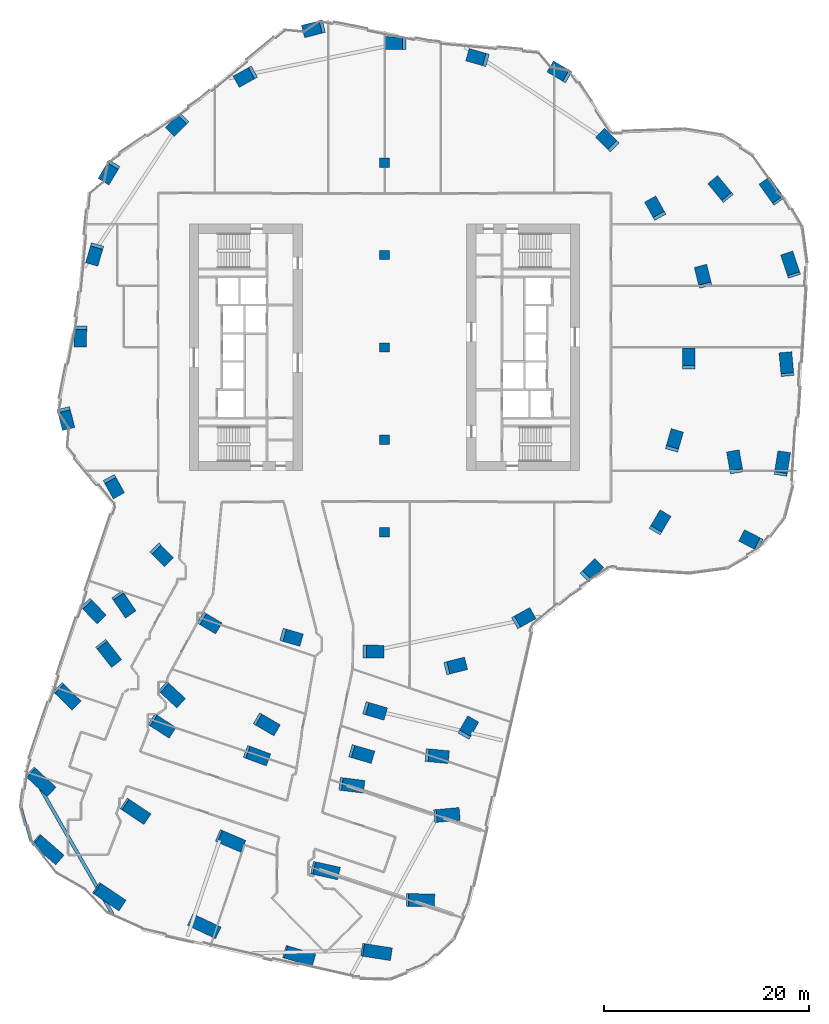
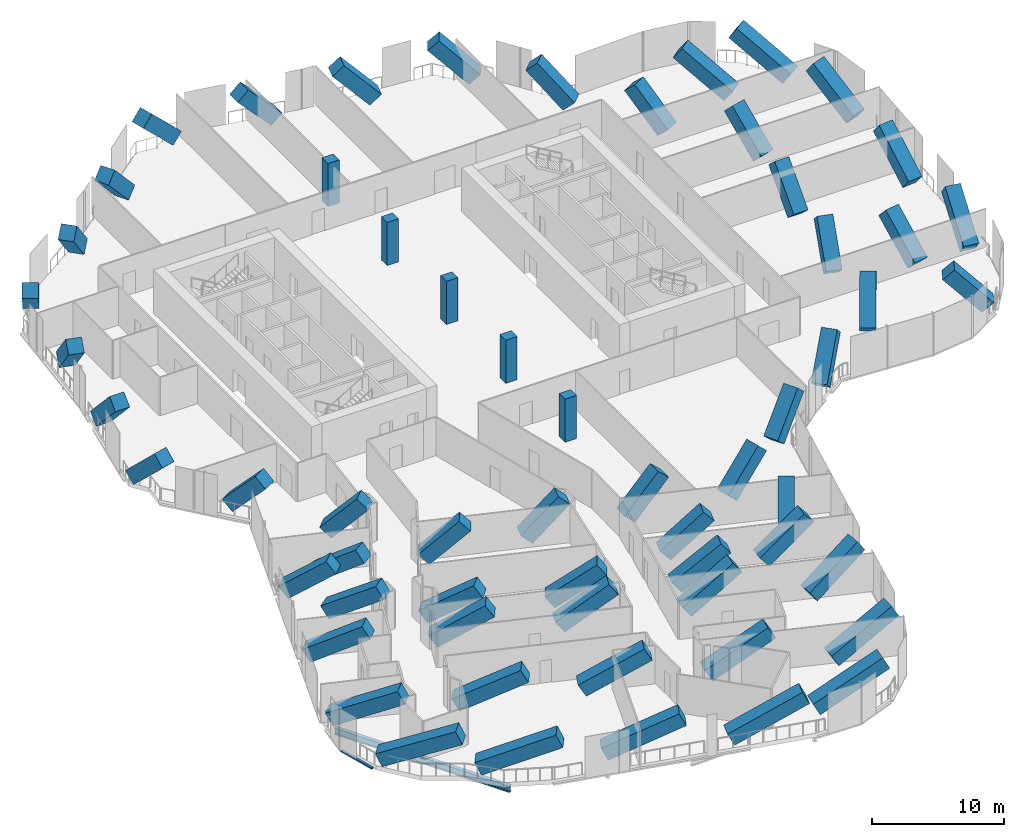
# One storey, part 1 of 28: 60 columns, 1 beam, 1 member, 1 element without a shape of its own.
"""IFC4 building model written with IfcOpenShell, lengths in metres."""

from ifc_helpers import new_model, si_unit, direction, frame, origin, origin_2d, place, context, subcontext, project, spatial, rectangle, i_section, extrude, material, material_profile, profile_set, type_object, element, aggregate, save


model = new_model("IFC4")

# Units and contexts
model_context = context("Model", 3, precision=1e-05, world=origin(), true_north=direction((0.0, 1.0)))
body_context = subcontext(model_context, "Body", "Model", "MODEL_VIEW")
ifc_project = project(units=[si_unit("LENGTHUNIT", "METRE"), si_unit("AREAUNIT", "SQUARE_METRE"), si_unit("VOLUMEUNIT", "CUBIC_METRE"), si_unit("PLANEANGLEUNIT", "RADIAN"), si_unit("MASSUNIT", "GRAM", prefix="KILO")], contexts=[model_context])

# Site, building, storey
site_placement = place(None, origin())
site = spatial("IfcSite", under=ifc_project, at=site_placement, CompositionType="ELEMENT")
building_placement = place(site_placement, origin())
building = spatial("IfcBuilding", under=site, at=building_placement, Name="Orlundy Tower", CompositionType="ELEMENT")
storey_placement = place(building_placement, frame((0.0, 0.0, 163.10009765625)))
storey = spatial("IfcBuildingStorey", under=building, at=storey_placement, Name="L42", CompositionType="ELEMENT", Elevation=163.10009765625)

# Columns
ifc_material_1 = material(Name="Concrete C70/85", Category="concrete")
ifc_material_profile_1 = material_profile(ifc_material_1, rectangle(XDim=1.0, YDim=0.89990234375, at=origin_2d()), Name="RC1000X900")
ifc_profile_set_1 = profile_set([ifc_material_profile_1], Name="Concrete C70/85")
column_type_1 = type_object("IfcColumnType", Name="RC COLUMN RC1000X900 C70/85", PredefinedType="COLUMN", material=ifc_profile_set_1)
for number, where, z_axis, x_axis, name in (
    (1, (0.0, -18.0, 0.0), (0.0, 0.0, 1.0), (1.0, 0.0, 0.0), "Column C-M1 L42"),
    (2, (0.0, -9.0, 0.0), (0.0, 0.0, 1.0), (1.0, 0.0, 0.0), "Column C-M2 L42"),
    (3, (0.0, 0.0, 0.0), (0.0, 0.0, 1.0), (1.0, 0.0, 0.0), "Column C-M3 L42"),
    (4, (0.0, 9.0, 0.0), (0.0, 0.0, 1.0), (1.0, 0.0, 0.0), "Column C-M4 L42"),
    (5, (0.0, 18.0, 0.0), (0.0, 0.0, 1.0), (1.0, 0.0, 0.0), "Column C-M5 L42"),
):
    element("IfcColumn", number, at=place(storey_placement, frame(where, z_axis=z_axis, x_axis=x_axis)), inside=storey, type_object=column_type_1, Name=name, PredefinedType="COLUMN", context=body_context, shape_type="SweptSolid", body=[
        extrude(rectangle(XDim=1.0, YDim=0.89990234375, at=origin_2d()), origin(), (0.0, 0.0, 1.0), 4.0),
    ])
ifc_material_2 = material(Name="Concrete C70/85", Category="concrete")
ifc_material_profile_2 = material_profile(ifc_material_2, rectangle(XDim=1.25, YDim=1.25, at=origin_2d()), Name="RC1250X1250")
ifc_profile_set_2 = profile_set([ifc_material_profile_2], Name="Concrete C70/85")
column_type_2 = type_object("IfcColumnType", Name="RC COLUMN RC1250X1250 C70/85", PredefinedType="COLUMN", material=ifc_profile_set_2)
column_1_placement = place(storey_placement, frame((36.197998046875, -19.0390625, 0.43115234375), z_axis=(-0.614431659067, 0.313806268121, 0.723878002445), x_axis=(-0.454839158041, -0.89057360185, 0.0)))
element("IfcColumn", 6, at=column_1_placement, inside=storey, type_object=column_type_2, Name="Column C-A1-6 L42 strut", PredefinedType="COLUMN", context=body_context, shape_type="SweptSolid", body=[
    extrude(rectangle(XDim=1.25, YDim=1.25, at=origin_2d()), origin(), (0.0, 0.0, 1.0), 4.334228515625),
])
column_2_placement = place(storey_placement, frame((38.635009765625, -12.0810546875, 0.4951171875), z_axis=(0.122487028958, 0.782600026974, 0.610355736859), x_axis=(-0.987972378742, 0.154630458974, 0.0)))
element("IfcColumn", 7, at=column_2_placement, inside=storey, type_object=column_type_2, Name="Column C-A2-6 L42 strut", PredefinedType="COLUMN", context=body_context, shape_type="SweptSolid", body=[
    extrude(rectangle(XDim=1.25, YDim=1.25, at=origin_2d()), origin(), (0.0, 0.0, 1.0), 4.93115234375),
])
column_3_placement = place(storey_placement, frame((34.242919921875, -11.81298828125, 0.4658203125), z_axis=(-0.130310095203, 0.734021863089, 0.666506701838), x_axis=(-0.984604707963, -0.174795792447, 0.0)))
element("IfcColumn", 8, at=column_3_placement, inside=storey, type_object=column_type_2, Name="Column C-A2-7 L42 strut", PredefinedType="COLUMN", context=body_context, shape_type="SweptSolid", body=[
    extrude(rectangle(XDim=1.25, YDim=1.25, at=origin_2d()), origin(), (0.0, 0.0, 1.0), 4.603271484375),
])
column_4_placement = place(storey_placement, frame((39.22705078125, -2.39892578125, 0.493896484375), z_axis=(-0.072199062144, 0.787088950508, 0.612599607748), x_axis=(-0.995819239381, -0.091345730494, 0.0)))
element("IfcColumn", 9, at=column_4_placement, inside=storey, type_object=column_type_2, Name="Column C-A3-6 L42 strut", PredefinedType="COLUMN", context=body_context, shape_type="SweptSolid", body=[
    extrude(rectangle(XDim=1.25, YDim=1.25, at=origin_2d()), origin(), (0.0, 0.0, 1.0), 4.916748046875),
])
column_5_placement = place(storey_placement, frame((39.819091796875, 7.282958984375, 0.5048828125), z_axis=(-0.25907824118, 0.765106223303, 0.589483614708), x_axis=(-0.947171144312, -0.320728582112, 0.0)))
element("IfcColumn", 10, at=column_5_placement, inside=storey, type_object=column_type_2, Name="Column C-A4-6 L42 strut", PredefinedType="COLUMN", context=body_context, shape_type="SweptSolid", body=[
    extrude(rectangle(XDim=1.25, YDim=1.25, at=origin_2d()), origin(), (0.0, 0.0, 1.0), 5.07275390625),
])
column_6_placement = place(storey_placement, frame((38.2490234375, 14.485107421875, 0.522705078125), z_axis=(-0.485686387819, 0.680749350741, 0.548351214235), x_axis=(-0.814051859735, -0.580792191461, 0.0)))
element("IfcColumn", 11, at=column_6_placement, inside=storey, type_object=column_type_2, Name="Column C-A5-6 L42 strut", PredefinedType="COLUMN", context=body_context, shape_type="SweptSolid", body=[
    extrude(rectangle(XDim=1.25, YDim=1.25, at=origin_2d()), origin(), (0.0, 0.0, 1.0), 5.38818359375),
])
column_7_placement = place(storey_placement, frame((33.258056640625, 14.7900390625, 0.505615234375), z_axis=(-0.515408443842, 0.623912958881, 0.587440852986), x_axis=(-0.770960485669, -0.636882979469, 0.0)))
element("IfcColumn", 12, at=column_7_placement, inside=storey, type_object=column_type_2, Name="Column C-A5-7 L42 strut", PredefinedType="COLUMN", context=body_context, shape_type="SweptSolid", body=[
    extrude(rectangle(XDim=1.25, YDim=1.25, at=origin_2d()), origin(), (0.0, 0.0, 1.0), 5.08740234375),
])
column_8_placement = place(storey_placement, frame((-28.868896484375, -25.138916015625, 0.48828125), z_axis=(0.541618703816, -0.563138308034, 0.624118919518), x_axis=(0.720743817302, 0.693201521796, 0.0)))
element("IfcColumn", 13, at=column_8_placement, inside=storey, type_object=column_type_2, Name="Column C-B1-1 L42 strut", PredefinedType="COLUMN", context=body_context, shape_type="SweptSolid", body=[
    extrude(rectangle(XDim=1.25, YDim=1.25, at=origin_2d()), origin(), (0.0, 0.0, 1.0), 4.84423828125),
])
column_9_placement = place(storey_placement, frame((-31.60791015625, -33.325927734375, 0.530029296875), z_axis=(0.607559866348, -0.591718513999, 0.529849232324), x_axis=(0.697705693027, 0.716384509825, 0.0)))
element("IfcColumn", 14, at=column_9_placement, inside=storey, type_object=column_type_2, Name="Column C-B1-2 L42 strut", PredefinedType="COLUMN", context=body_context, shape_type="SweptSolid", body=[
    extrude(rectangle(XDim=1.25, YDim=1.25, at=origin_2d()), origin(), (0.0, 0.0, 1.0), 5.548095703125),
])
column_10_placement = place(storey_placement, frame((-34.343994140625, -41.514892578125, 0.555908203125), z_axis=(0.650749520323, -0.606668854079, 0.456593871279), x_axis=(0.681899220361, 0.731446138326, 0.0)))
element("IfcColumn", 15, at=column_10_placement, inside=storey, type_object=column_type_2, Name="Column C-B1-3 L42 strut", PredefinedType="COLUMN", context=body_context, shape_type="SweptSolid", body=[
    extrude(rectangle(XDim=1.25, YDim=1.25, at=origin_2d()), origin(), (0.0, 0.0, 1.0), 6.324951171875),
])
column_11_placement = place(storey_placement, frame((-33.7880859375, -48.055908203125, 0.5673828125), z_axis=(0.685344408242, -0.595777894409, 0.418750215075), x_axis=(0.656069747927, 0.75470026226, 0.0)))
element("IfcColumn", 16, at=column_11_placement, inside=storey, type_object=column_type_2, Name="Column C-B1-5 L42 strut", PredefinedType="COLUMN", context=body_context, shape_type="SweptSolid", body=[
    extrude(rectangle(XDim=1.25, YDim=1.25, at=origin_2d()), origin(), (0.0, 0.0, 1.0), 6.841796875),
])
column_12_placement = place(storey_placement, frame((-27.44091796875, -29.089111328125, 0.522705078125), z_axis=(0.516674188165, -0.657544139143, 0.548346139189), x_axis=(0.786299536886, 0.61784548092, 0.0)))
element("IfcColumn", 17, at=column_12_placement, inside=storey, type_object=column_type_2, Name="Column C-B1-6 L42 strut", PredefinedType="COLUMN", context=body_context, shape_type="SweptSolid", body=[
    extrude(rectangle(XDim=1.25, YDim=1.25, at=origin_2d()), origin(), (0.0, 0.0, 1.0), 5.38818359375),
])
column_13_placement = place(storey_placement, frame((-25.85498046875, -24.347900390625, 0.505615234375), z_axis=(0.453656832284, -0.670143235588, 0.587455123663), x_axis=(0.828097189885, 0.560584555713, 0.0)))
element("IfcColumn", 18, at=column_13_placement, inside=storey, type_object=column_type_2, Name="Column C-B1-7 L42 strut", PredefinedType="COLUMN", context=body_context, shape_type="SweptSolid", body=[
    extrude(rectangle(XDim=1.25, YDim=1.25, at=origin_2d()), origin(), (0.0, 0.0, 1.0), 5.087158203125),
])
column_14_placement = place(storey_placement, frame((-22.408935546875, -36.404052734375, 0.515380859375), z_axis=(0.691420299182, -0.449506901526, 0.565580688637), x_axis=(0.545059702489, 0.838397233251, 0.0)))
element("IfcColumn", 19, at=column_14_placement, inside=storey, type_object=column_type_2, Name="Column C-B2-2 L42 strut", PredefinedType="COLUMN", context=body_context, shape_type="SweptSolid", body=[
    extrude(rectangle(XDim=1.25, YDim=1.25, at=origin_2d()), origin(), (0.0, 0.0, 1.0), 5.25),
])
column_15_placement = place(storey_placement, frame((-25.14892578125, -44.591064453125, 0.547119140625), z_axis=(0.728513829008, -0.485242537011, 0.483536225343), x_axis=(0.554357406679, 0.832278718735, 0.0)))
element("IfcColumn", 20, at=column_15_placement, inside=storey, type_object=column_type_2, Name="Column C-B2-3 L42 strut", PredefinedType="COLUMN", context=body_context, shape_type="SweptSolid", body=[
    extrude(rectangle(XDim=1.25, YDim=1.25, at=origin_2d()), origin(), (0.0, 0.0, 1.0), 6.00927734375),
])
column_16_placement = place(storey_placement, frame((-27.887939453125, -52.778076171875, 0.567138671875), z_axis=(0.751434378717, -0.508817992104, 0.420060264003), x_axis=(0.56068332345, 0.82803031998, 0.0)))
element("IfcColumn", 21, at=column_16_placement, inside=storey, type_object=column_type_2, Name="Column C-B2-5 L42 strut", PredefinedType="COLUMN", context=body_context, shape_type="SweptSolid", body=[
    extrude(rectangle(XDim=1.25, YDim=1.25, at=origin_2d()), origin(), (0.0, 0.0, 1.0), 6.821533203125),
])
column_17_placement = place(storey_placement, frame((-21.35205078125, -33.242919921875, 0.514404296875), z_axis=(0.60490275207, -0.558289218491, 0.567807898021), x_axis=(0.678225952127, 0.734853426107, 0.0)))
element("IfcColumn", 22, at=column_17_placement, inside=storey, type_object=column_type_2, Name="Column C-B2-6 L42 strut", PredefinedType="COLUMN", context=body_context, shape_type="SweptSolid", body=[
    extrude(rectangle(XDim=1.25, YDim=1.25, at=origin_2d()), origin(), (0.0, 0.0, 1.0), 5.232421875),
])
column_18_placement = place(storey_placement, frame((-13.2099609375, -39.48193359375, 0.507080078125), z_axis=(0.761221861234, -0.281091530402, 0.58440467958), x_axis=(0.346401191704, 0.938086464238, 0.0)))
element("IfcColumn", 23, at=column_18_placement, inside=storey, type_object=column_type_2, Name="Column C-B3-2 L42 strut", PredefinedType="COLUMN", context=body_context, shape_type="SweptSolid", body=[
    extrude(rectangle(XDim=1.25, YDim=1.25, at=origin_2d()), origin(), (0.0, 0.0, 1.0), 5.10888671875),
])
column_19_placement = place(storey_placement, frame((-15.949951171875, -47.6689453125, 0.541015625), z_axis=(0.795438712941, -0.34170402037, 0.500515350832), x_axis=(0.394701516002, 0.918809399857, 0.0)))
element("IfcColumn", 24, at=column_19_placement, inside=storey, type_object=column_type_2, Name="Column C-B3-3 L42 strut", PredefinedType="COLUMN", context=body_context, shape_type="SweptSolid", body=[
    extrude(rectangle(XDim=1.25, YDim=1.25, at=origin_2d()), origin(), (0.0, 0.0, 1.0), 5.829345703125),
])
column_20_placement = place(storey_placement, frame((-18.68896484375, -55.85595703125, 0.562744140625), z_axis=(0.814063560894, -0.385271001, 0.434588051622), x_axis=(0.427779753308, 0.90388300275, 0.0)))
element("IfcColumn", 25, at=column_20_placement, inside=storey, type_object=column_type_2, Name="Column C-B3-5 L42 strut", PredefinedType="COLUMN", context=body_context, shape_type="SweptSolid", body=[
    extrude(rectangle(XDim=1.25, YDim=1.25, at=origin_2d()), origin(), (0.0, 0.0, 1.0), 6.61376953125),
])
column_21_placement = place(storey_placement, frame((-12.153076171875, -36.321044921875, 0.498046875), z_axis=(0.688479389186, -0.401551615226, 0.603947374343), x_axis=(0.503813582117, 0.863812406992, 0.0)))
element("IfcColumn", 26, at=column_21_placement, inside=storey, type_object=column_type_2, Name="Column C-B3-6 L42 strut", PredefinedType="COLUMN", context=body_context, shape_type="SweptSolid", body=[
    extrude(rectangle(XDim=1.25, YDim=1.25, at=origin_2d()), origin(), (0.0, 0.0, 1.0), 4.973388671875),
])
column_22_placement = place(storey_placement, frame((-4.011962890625, -42.56005859375, 0.5087890625), z_axis=(0.80785324827, -0.09989992199, 0.580855519769), x_axis=(0.122726170673, 0.992440571033, 0.0)))
element("IfcColumn", 27, at=column_22_placement, inside=storey, type_object=column_type_2, Name="Column C-B4-2 L42 strut", PredefinedType="COLUMN", context=body_context, shape_type="SweptSolid", body=[
    extrude(rectangle(XDim=1.25, YDim=1.25, at=origin_2d()), origin(), (0.0, 0.0, 1.0), 5.134521484375),
])
column_23_placement = place(storey_placement, frame((-6.7509765625, -50.7470703125, 0.539794921875), z_axis=(0.844129947707, -0.184282482849, 0.50347253937), x_axis=(0.213287138961, 0.976989557955, 0.0)))
element("IfcColumn", 28, at=column_23_placement, inside=storey, type_object=column_type_2, Name="Column C-B4-3 L42 strut", PredefinedType="COLUMN", context=body_context, shape_type="SweptSolid", body=[
    extrude(rectangle(XDim=1.25, YDim=1.25, at=origin_2d()), origin(), (0.0, 0.0, 1.0), 5.800048828125),
])
column_24_placement = place(storey_placement, frame((-9.490966796875, -58.93408203125, 0.561279296875), z_axis=(0.862996024395, -0.248319472025, 0.439971932845), x_axis=(0.276521475753, 0.961007738495, 0.0)))
element("IfcColumn", 29, at=column_24_placement, inside=storey, type_object=column_type_2, Name="Column C-B4-5 L42 strut", PredefinedType="COLUMN", context=body_context, shape_type="SweptSolid", body=[
    extrude(rectangle(XDim=1.25, YDim=1.25, at=origin_2d()), origin(), (0.0, 0.0, 1.0), 6.5400390625),
])
column_25_placement = place(storey_placement, frame((-2.9541015625, -39.39892578125, 0.4912109375), z_axis=(0.754598617916, -0.220037075448, 0.61819463866), x_axis=(0.279936464818, 0.960018528813, 0.0)))
element("IfcColumn", 30, at=column_25_placement, inside=storey, type_object=column_type_2, Name="Column C-B4-6 L42 strut", PredefinedType="COLUMN", context=body_context, shape_type="SweptSolid", body=[
    extrude(rectangle(XDim=1.25, YDim=1.25, at=origin_2d()), origin(), (0.0, 0.0, 1.0), 4.880859375),
])
column_26_placement = place(storey_placement, frame((-1.55810546875, -35.22607421875, 0.463623046875), z_axis=(0.712112227691, -0.208786831155, 0.670301599513), x_axis=(0.281350203926, 0.959605159819, 0.0)))
element("IfcColumn", 31, at=column_26_placement, inside=storey, type_object=column_type_2, Name="Column C-B4-7 L42 strut", PredefinedType="COLUMN", context=body_context, shape_type="SweptSolid", body=[
    extrude(rectangle(XDim=1.25, YDim=1.25, at=origin_2d()), origin(), (0.0, 0.0, 1.0), 4.583740234375),
])
column_27_placement = place(storey_placement, frame((7.926025390625, -37.449951171875, 0.389892578125), z_axis=(0.3093960676, 0.541887482626, 0.781429478281), x_axis=(-0.868418381387, 0.495832143845, 0.0)))
element("IfcColumn", 32, at=column_27_placement, inside=storey, type_object=column_type_2, Name="Column C-B5-1 L42 strut", PredefinedType="COLUMN", context=body_context, shape_type="SweptSolid", body=[
    extrude(rectangle(XDim=1.25, YDim=1.25, at=origin_2d()), origin(), (0.0, 0.0, 1.0), 4.12060546875),
])
column_28_placement = place(storey_placement, frame((5.18701171875, -45.637939453125, 0.519287109375), z_axis=(0.827554248097, 0.077157708689, 0.556058139448), x_axis=(-0.092833209063, 0.995681673676, 0.0)))
element("IfcColumn", 33, at=column_28_placement, inside=storey, type_object=column_type_2, Name="Column C-B5-2 L42 strut", PredefinedType="COLUMN", context=body_context, shape_type="SweptSolid", body=[
    extrude(rectangle(XDim=1.25, YDim=1.25, at=origin_2d()), origin(), (0.0, 0.0, 1.0), 5.3251953125),
])
column_29_placement = place(storey_placement, frame((2.444091796875, -53.822998046875, 0.544189453125), z_axis=(0.87058335565, -0.024806701382, 0.491395205951), x_axis=(0.028482783098, 0.99959428323, 0.0)))
element("IfcColumn", 34, at=column_29_placement, inside=storey, type_object=column_type_2, Name="Column C-B5-3 L42 strut", PredefinedType="COLUMN", context=body_context, shape_type="SweptSolid", body=[
    extrude(rectangle(XDim=1.25, YDim=1.25, at=origin_2d()), origin(), (0.0, 0.0, 1.0), 5.9248046875),
])
column_30_placement = place(storey_placement, frame((-1.93701171875, -58.712890625, 0.556396484375), z_axis=(0.879775096656, -0.138488814612, 0.454770961618), x_axis=(0.15549910625, 0.98783603293, 0.0)))
element("IfcColumn", 35, at=column_30_placement, inside=storey, type_object=column_type_2, Name="Column C-B5-5 L42 strut", PredefinedType="COLUMN", context=body_context, shape_type="SweptSolid", body=[
    extrude(rectangle(XDim=1.25, YDim=1.25, at=origin_2d()), origin(), (0.0, 0.0, 1.0), 6.34814453125),
])
column_31_placement = place(storey_placement, frame((4.408935546875, -39.74609375, 0.483154296875), z_axis=(0.769712005055, -0.072335980313, 0.634279855605), x_axis=(0.093565709776, 0.99561310656, 0.0)))
element("IfcColumn", 36, at=column_31_placement, inside=storey, type_object=column_type_2, Name="Column C-B5-6 L42 strut", PredefinedType="COLUMN", context=body_context, shape_type="SweptSolid", body=[
    extrude(rectangle(XDim=1.25, YDim=1.25, at=origin_2d()), origin(), (0.0, 0.0, 1.0), 4.782470703125),
])
column_32_placement = place(storey_placement, frame((17.56396484375, 26.535888671875, 0.4443359375), z_axis=(-0.611573755674, 0.362783962789, 0.70311118446), x_axis=(-0.510187320891, -0.860063310229, 0.0)))
element("IfcColumn", 37, at=column_32_placement, inside=storey, type_object=column_type_2, Name="Column C-H01 L42 strut", PredefinedType="COLUMN", context=body_context, shape_type="SweptSolid", body=[
    extrude(rectangle(XDim=1.25, YDim=1.25, at=origin_2d()), origin(), (0.0, 0.0, 1.0), 4.4248046875),
])
column_33_placement = place(storey_placement, frame((22.10400390625, 19.805908203125, 0.426025390625), z_axis=(-0.479653690791, 0.484589800455, 0.731508757436), x_axis=(-0.7107172564, -0.703477776092, 0.0)))
element("IfcColumn", 38, at=column_33_placement, inside=storey, type_object=column_type_2, Name="Column C-H02 L42 strut", PredefinedType="COLUMN", context=body_context, shape_type="SweptSolid", body=[
    extrude(rectangle(XDim=1.25, YDim=1.25, at=origin_2d()), origin(), (0.0, 0.0, 1.0), 4.302978515625),
])
column_34_placement = place(storey_placement, frame((26.64404296875, 13.074951171875, 0.426025390625), z_axis=(-0.33045141997, 0.59651445167, 0.731418052818), x_axis=(-0.874745244155, -0.484583076291, 0.0)))
element("IfcColumn", 39, at=column_34_placement, inside=storey, type_object=column_type_2, Name="Column C-H03 L42 strut", PredefinedType="COLUMN", context=body_context, shape_type="SweptSolid", body=[
    extrude(rectangle(XDim=1.25, YDim=1.25, at=origin_2d()), origin(), (0.0, 0.0, 1.0), 4.303466796875),
])
column_35_placement = place(storey_placement, frame((31.18310546875, 6.343994140625, 0.4443359375), z_axis=(-0.175861085372, 0.68893180134, 0.703168437683), x_axis=(-0.968929978876, -0.247335189642, 0.0)))
element("IfcColumn", 40, at=column_35_placement, inside=storey, type_object=column_type_2, Name="Column C-H04 L42 strut", PredefinedType="COLUMN", context=body_context, shape_type="SweptSolid", body=[
    extrude(rectangle(XDim=1.25, YDim=1.25, at=origin_2d()), origin(), (0.0, 0.0, 1.0), 4.42431640625),
])
for number, where, z_axis, x_axis, name in (
    (41, (29.634033203125, -1.625, 0.426025390625), (0.003687792657, 0.681844494604, 0.731487857291), (-0.999985374094, 0.005408474731, 0.0), "Column C-H05 L42 strut"),
    (42, (28.0849609375, -9.593994140625, 0.426025390625), (0.188248183938, 0.655351046616, 0.731490004677), (-0.961133632135, 0.276083576437, 0.0), "Column C-H06 L42 strut"),
):
    element("IfcColumn", number, at=place(storey_placement, frame(where, z_axis=z_axis, x_axis=x_axis)), inside=storey, type_object=column_type_2, Name=name, PredefinedType="COLUMN", context=body_context, shape_type="SweptSolid", body=[
        extrude(rectangle(XDim=1.25, YDim=1.25, at=origin_2d()), origin(), (0.0, 0.0, 1.0), 4.30322265625),
    ])
column_36_placement = place(storey_placement, frame((26.535888671875, -17.56396484375, 0.4443359375), z_axis=(0.362783962789, 0.611573755674, 0.70311118446), x_axis=(-0.860063310229, 0.510187320891, 0.0)))
element("IfcColumn", 43, at=column_36_placement, inside=storey, type_object=column_type_2, Name="Column C-H07 L42 strut", PredefinedType="COLUMN", context=body_context, shape_type="SweptSolid", body=[
    extrude(rectangle(XDim=1.25, YDim=1.25, at=origin_2d()), origin(), (0.0, 0.0, 1.0), 4.4248046875),
])
column_37_placement = place(storey_placement, frame((19.805908203125, -22.10400390625, 0.426025390625), z_axis=(0.484589800455, 0.479653690791, 0.731508757436), x_axis=(-0.703477776092, 0.7107172564, 0.0)))
element("IfcColumn", 44, at=column_37_placement, inside=storey, type_object=column_type_2, Name="Column C-H08 L42 strut", PredefinedType="COLUMN", context=body_context, shape_type="SweptSolid", body=[
    extrude(rectangle(XDim=1.25, YDim=1.25, at=origin_2d()), origin(), (0.0, 0.0, 1.0), 4.302978515625),
])
column_38_placement = place(storey_placement, frame((13.074951171875, -26.64404296875, 0.426025390625), z_axis=(0.59651445167, 0.33045141997, 0.731418052818), x_axis=(-0.484583076291, 0.874745244155, 0.0)))
element("IfcColumn", 45, at=column_38_placement, inside=storey, type_object=column_type_2, Name="Column C-H09 L42 strut", PredefinedType="COLUMN", context=body_context, shape_type="SweptSolid", body=[
    extrude(rectangle(XDim=1.25, YDim=1.25, at=origin_2d()), origin(), (0.0, 0.0, 1.0), 4.303466796875),
])
column_39_placement = place(storey_placement, frame((6.343994140625, -31.18310546875, 0.4443359375), z_axis=(0.68893180134, 0.175861085372, 0.703168437683), x_axis=(-0.247335189642, 0.968929978876, 0.0)))
element("IfcColumn", 46, at=column_39_placement, inside=storey, type_object=column_type_2, Name="Column C-H10 L42 strut", PredefinedType="COLUMN", context=body_context, shape_type="SweptSolid", body=[
    extrude(rectangle(XDim=1.25, YDim=1.25, at=origin_2d()), origin(), (0.0, 0.0, 1.0), 4.42431640625),
])
for number, where, z_axis, x_axis, name in (
    (47, (-1.625, -29.634033203125, 0.426025390625), (0.681844494604, -0.003687792657, 0.731487857291), (0.005408474731, 0.999985374094, 0.0), "Column C-H11 L42 strut"),
    (48, (-9.593994140625, -28.0849609375, 0.426025390625), (0.655351046616, -0.188248183938, 0.731490004677), (0.276083576437, 0.961133632135, 0.0), "Column C-H12 L42 strut"),
):
    element("IfcColumn", number, at=place(storey_placement, frame(where, z_axis=z_axis, x_axis=x_axis)), inside=storey, type_object=column_type_2, Name=name, PredefinedType="COLUMN", context=body_context, shape_type="SweptSolid", body=[
        extrude(rectangle(XDim=1.25, YDim=1.25, at=origin_2d()), origin(), (0.0, 0.0, 1.0), 4.30322265625),
    ])
column_40_placement = place(storey_placement, frame((-17.56396484375, -26.535888671875, 0.4443359375), z_axis=(0.611573755674, -0.362783962789, 0.70311118446), x_axis=(0.510187320891, 0.860063310229, 0.0)))
element("IfcColumn", 49, at=column_40_placement, inside=storey, type_object=column_type_2, Name="Column C-H13 L42 strut", PredefinedType="COLUMN", context=body_context, shape_type="SweptSolid", body=[
    extrude(rectangle(XDim=1.25, YDim=1.25, at=origin_2d()), origin(), (0.0, 0.0, 1.0), 4.4248046875),
])
column_41_placement = place(storey_placement, frame((-22.10400390625, -19.805908203125, 0.426025390625), z_axis=(0.479653690791, -0.484589800455, 0.731508757436), x_axis=(0.7107172564, 0.703477776092, 0.0)))
element("IfcColumn", 50, at=column_41_placement, inside=storey, type_object=column_type_2, Name="Column C-H14 L42 strut", PredefinedType="COLUMN", context=body_context, shape_type="SweptSolid", body=[
    extrude(rectangle(XDim=1.25, YDim=1.25, at=origin_2d()), origin(), (0.0, 0.0, 1.0), 4.302978515625),
])
column_42_placement = place(storey_placement, frame((-26.64404296875, -13.074951171875, 0.426025390625), z_axis=(0.33045141997, -0.59651445167, 0.731418052818), x_axis=(0.874745244155, 0.484583076291, 0.0)))
element("IfcColumn", 51, at=column_42_placement, inside=storey, type_object=column_type_2, Name="Column C-H15 L42 strut", PredefinedType="COLUMN", context=body_context, shape_type="SweptSolid", body=[
    extrude(rectangle(XDim=1.25, YDim=1.25, at=origin_2d()), origin(), (0.0, 0.0, 1.0), 4.303466796875),
])
column_43_placement = place(storey_placement, frame((-31.18310546875, -6.343994140625, 0.4443359375), z_axis=(0.175861085372, -0.68893180134, 0.703168437683), x_axis=(0.968929978876, 0.247335189642, 0.0)))
element("IfcColumn", 52, at=column_43_placement, inside=storey, type_object=column_type_2, Name="Column C-H16 L42 strut", PredefinedType="COLUMN", context=body_context, shape_type="SweptSolid", body=[
    extrude(rectangle(XDim=1.25, YDim=1.25, at=origin_2d()), origin(), (0.0, 0.0, 1.0), 4.42431640625),
])
for number, where, z_axis, x_axis, name in (
    (53, (-29.634033203125, 1.625, 0.426025390625), (-0.003687792657, -0.681844494604, 0.731487857291), (0.999985374094, -0.005408474731, 0.0), "Column C-H17 L42 strut"),
    (54, (-28.0849609375, 9.593994140625, 0.426025390625), (-0.188248183938, -0.655351046616, 0.731490004677), (0.961133632135, -0.276083576437, 0.0), "Column C-H18 L42 strut"),
):
    element("IfcColumn", number, at=place(storey_placement, frame(where, z_axis=z_axis, x_axis=x_axis)), inside=storey, type_object=column_type_2, Name=name, PredefinedType="COLUMN", context=body_context, shape_type="SweptSolid", body=[
        extrude(rectangle(XDim=1.25, YDim=1.25, at=origin_2d()), origin(), (0.0, 0.0, 1.0), 4.30322265625),
    ])
column_44_placement = place(storey_placement, frame((-26.535888671875, 17.56396484375, 0.4443359375), z_axis=(-0.362783962789, -0.611573755674, 0.70311118446), x_axis=(0.860063310229, -0.510187320891, 0.0)))
element("IfcColumn", 55, at=column_44_placement, inside=storey, type_object=column_type_2, Name="Column C-H19 L42 strut", PredefinedType="COLUMN", context=body_context, shape_type="SweptSolid", body=[
    extrude(rectangle(XDim=1.25, YDim=1.25, at=origin_2d()), origin(), (0.0, 0.0, 1.0), 4.4248046875),
])
column_45_placement = place(storey_placement, frame((-19.805908203125, 22.10400390625, 0.426025390625), z_axis=(-0.484589800455, -0.479653690791, 0.731508757436), x_axis=(0.703477776092, -0.7107172564, 0.0)))
element("IfcColumn", 56, at=column_45_placement, inside=storey, type_object=column_type_2, Name="Column C-H20 L42 strut", PredefinedType="COLUMN", context=body_context, shape_type="SweptSolid", body=[
    extrude(rectangle(XDim=1.25, YDim=1.25, at=origin_2d()), origin(), (0.0, 0.0, 1.0), 4.302978515625),
])
column_46_placement = place(storey_placement, frame((-13.074951171875, 26.64404296875, 0.426025390625), z_axis=(-0.59651445167, -0.33045141997, 0.731418052818), x_axis=(0.484583076291, -0.874745244155, 0.0)))
element("IfcColumn", 57, at=column_46_placement, inside=storey, type_object=column_type_2, Name="Column C-H21 L42 strut", PredefinedType="COLUMN", context=body_context, shape_type="SweptSolid", body=[
    extrude(rectangle(XDim=1.25, YDim=1.25, at=origin_2d()), origin(), (0.0, 0.0, 1.0), 4.303466796875),
])
column_47_placement = place(storey_placement, frame((-6.343994140625, 31.18310546875, 0.4443359375), z_axis=(-0.68893180134, -0.175861085372, 0.703168437683), x_axis=(0.247335189642, -0.968929978876, 0.0)))
element("IfcColumn", 58, at=column_47_placement, inside=storey, type_object=column_type_2, Name="Column C-H22 L42 strut", PredefinedType="COLUMN", context=body_context, shape_type="SweptSolid", body=[
    extrude(rectangle(XDim=1.25, YDim=1.25, at=origin_2d()), origin(), (0.0, 0.0, 1.0), 4.42431640625),
])
for number, where, z_axis, x_axis, name in (
    (59, (1.625, 29.634033203125, 0.426025390625), (-0.681844494604, 0.003687792657, 0.731487857291), (-0.005408474731, -0.999985374094, 0.0), "Column C-H23 L42 strut"),
    (60, (9.593994140625, 28.0849609375, 0.426025390625), (-0.655351046616, 0.188248183938, 0.731490004677), (-0.276083576437, -0.961133632135, 0.0), "Column C-H24 L42 strut"),
):
    element("IfcColumn", number, at=place(storey_placement, frame(where, z_axis=z_axis, x_axis=x_axis)), inside=storey, type_object=column_type_2, Name=name, PredefinedType="COLUMN", context=body_context, shape_type="SweptSolid", body=[
        extrude(rectangle(XDim=1.25, YDim=1.25, at=origin_2d()), origin(), (0.0, 0.0, 1.0), 4.30322265625),
    ])

# Beam
ifc_material_3 = material(Name="Steel ASTM A992 Gr 50", Category="steel")
ifc_material_profile_3 = material_profile(ifc_material_3, i_section(OverallWidth=0.32373046875, OverallDepth=0.611083984375, WebThickness=0.0126953125, FlangeThickness=0.01904296875, at=origin_2d()), Name="W24X104")
ifc_profile_set_3 = profile_set([ifc_material_profile_3], Name="Steel ASTM A992 Gr 50")
beam_type = type_object("IfcBeamType", Name="CANTILEVER GIRDER beam W24X104", PredefinedType="BEAM", material=ifc_profile_set_3)
beam_placement = place(storey_placement, frame((-26.4990234375, -55.201416015625, -0.705810546875), z_axis=(-0.497298289865, 0.867579627987, 0.0), x_axis=(-0.867579627987, -0.497298289865, 0.0)))
element("IfcBeam", 61, at=beam_placement, inside=storey, type_object=beam_type, Name="Cantilever girder C-B2-5 L42", PredefinedType="BEAM", context=body_context, shape_type="SweptSolid", body=[
    extrude(i_section(OverallWidth=0.32373046875, OverallDepth=0.611083984375, WebThickness=0.0126953125, FlangeThickness=0.01904296875, at=origin_2d()), origin(), (0.0, 0.0, 1.0), 15.415283203125),
])

# Curtain wall, member
ifc_material_4 = material(Name="Aluminium bronze anodised", Category="aluminium")
curtain_wall_type = type_object("IfcCurtainWallType", Name="CW5 wall", PredefinedType="NOTDEFINED", material=ifc_material_4)
curtain_wall_placement = place(storey_placement, origin())
curtain_wall = element("IfcCurtainWall", 62, at=curtain_wall_placement, inside=storey, type_object=curtain_wall_type, Name="CW5 run 041", PredefinedType="NOTDEFINED")
ifc_material_5 = material(Name="Aluminium bronze anodised", Category="aluminium")
ifc_material_profile_4 = material_profile(ifc_material_5, rectangle(XDim=0.199951171875, YDim=0.139892578125, at=origin_2d()), Name="CW5 transom 200x140")
ifc_profile_set_4 = profile_set([ifc_material_profile_4], Name="Aluminium bronze anodised")
member_type = type_object("IfcMemberType", Name="CW5 transom 200x140", PredefinedType="USERDEFINED", material=ifc_profile_set_4)
member_placement = place(storey_placement, frame((-34.488037109375, -48.10498046875, -0.330078125), z_axis=(-0.262816543241, 0.964845824263, 0.0), x_axis=(-0.964845824263, -0.262816543241, 0.0)))
member = element("IfcMember", 63, at=member_placement, type_object=member_type, Name="CW5 transom", ObjectType="TRANSOM", PredefinedType="USERDEFINED", context=body_context, shape_type="SweptSolid", body=[
    extrude(rectangle(XDim=0.199951171875, YDim=0.139892578125, at=origin_2d()), origin(), (0.0, 0.0, 1.0), 3.364501953125),
])
aggregate(curtain_wall, [member])

save(model, "model.ifc")
